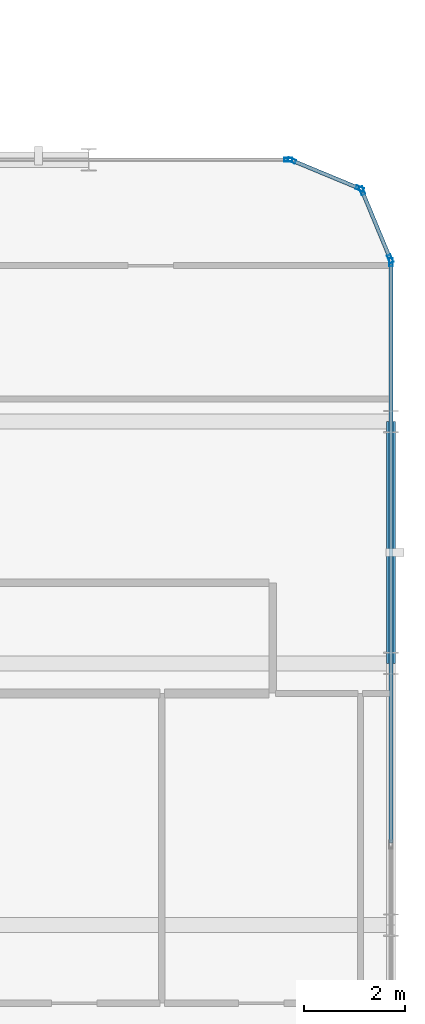
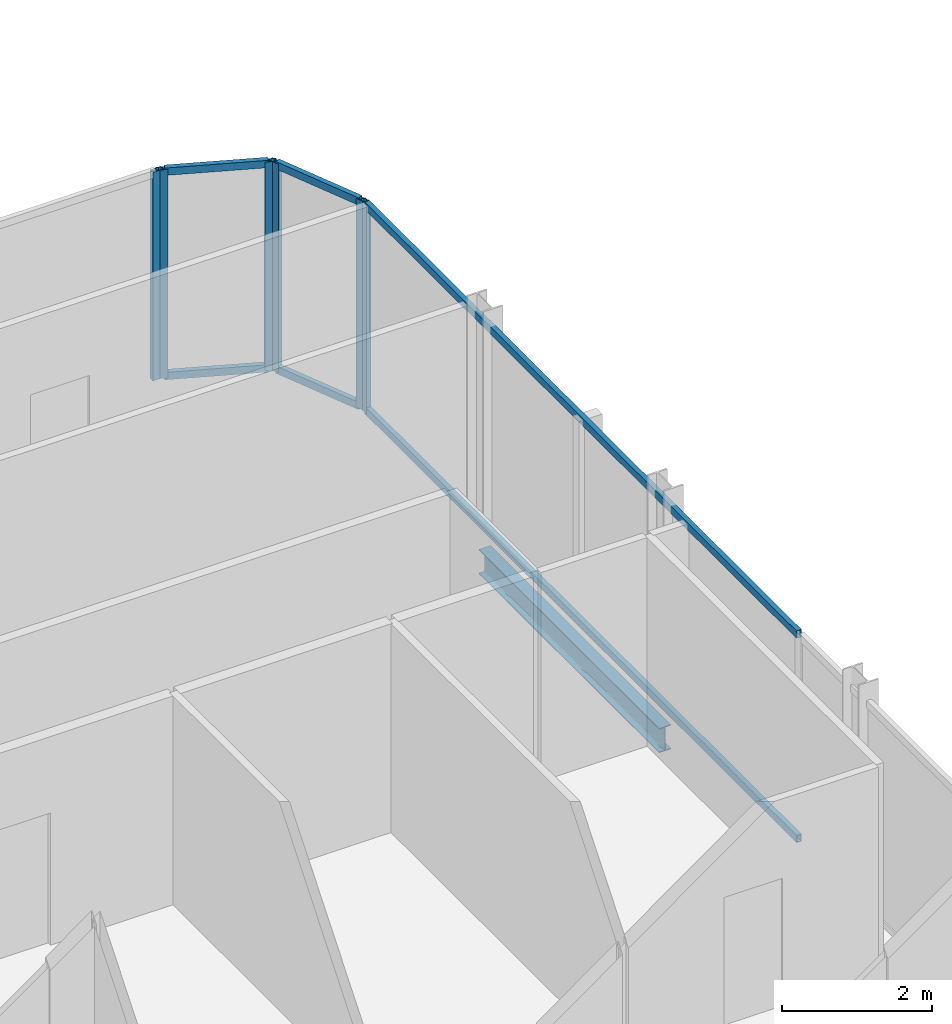
# One storey, part 15 of 29: 12 members, 1 beam, 4 elements without a shape of their own.
"""IFC4 building model written with IfcOpenShell, lengths in metres."""

from ifc_helpers import new_model, si_unit, direction, frame, origin, origin_2d, place, context, subcontext, project, spatial, hollow_rectangle, i_section, extrude, material, layer, layer_set, material_profile, profile_set, type_object, element, aggregate, save


model = new_model("IFC4")

# Units and contexts
model_context = context("Model", 3, precision=1e-05, world=origin(), true_north=direction((0.0, 1.0)))
body_context = subcontext(model_context, "Body", "Model", "MODEL_VIEW")
ifc_project = project(units=[si_unit("LENGTHUNIT", "METRE"), si_unit("AREAUNIT", "SQUARE_METRE"), si_unit("VOLUMEUNIT", "CUBIC_METRE"), si_unit("PLANEANGLEUNIT", "RADIAN"), si_unit("MASSUNIT", "GRAM", prefix="KILO")], contexts=[model_context])

# Site, building, storey
site_placement = place(None, origin())
site = spatial("IfcSite", under=ifc_project, at=site_placement, CompositionType="ELEMENT")
building_placement = place(site_placement, origin())
building = spatial("IfcBuilding", under=site, at=building_placement, Name="Keshet Zoharim Tower", CompositionType="ELEMENT")
storey_placement = place(building_placement, frame((0.0, 0.0, 210.60009765625)))
storey = spatial("IfcBuildingStorey", under=building, at=storey_placement, Name="L52", CompositionType="ELEMENT", Elevation=210.60009765625)

# Beam
ifc_material_1 = material(Name="Steel S355", Category="steel")
ifc_material_profile_1 = material_profile(ifc_material_1, i_section(OverallWidth=0.179931640625, OverallDepth=0.39990234375, WebThickness=0.008544921875, FlangeThickness=0.013427734375, FilletRadius=0.02099609375, at=origin_2d()), Name="IPE400")
ifc_profile_set_1 = profile_set([ifc_material_profile_1], Name="Steel S355")
beam_type = type_object("IfcBeamType", Name="BM-PRI-IP400", PredefinedType="BEAM", material=ifc_profile_set_1)
beam_placement = place(storey_placement, frame((57.0, 17.89990234375, -0.510009765625), z_axis=(0.0, 1.0, 0.0), x_axis=(-1.0, 0.0, 0.0)))
element("IfcBeam", 1, at=beam_placement, inside=storey, type_object=beam_type, Name="L52 Primary Girder Y-015", PredefinedType="BEAM", context=body_context, shape_type="SweptSolid", body=[
    extrude(i_section(OverallWidth=0.179931640625, OverallDepth=0.39990234375, WebThickness=0.008544921875, FlangeThickness=0.013427734375, FilletRadius=0.02099609375, at=origin_2d()), origin(), (0.0, 0.0, 1.0), 4.800048828125),
])

# Curtain wall, members
ifc_material_2 = material(Name="Aluminium 6063-T6", Category="aluminium")
ifc_layer = layer(ifc_material_2, 0.139892578125)
ifc_layer_set = layer_set([ifc_layer], Name="Aluminium 6063-T6")
curtain_wall_type = type_object("IfcCurtainWallType", Name="CW-SYS-05", PredefinedType="NOTDEFINED", material=ifc_layer_set)
curtain_wall_1_placement = place(storey_placement, origin())
curtain_wall_1 = element("IfcCurtainWall", 2, at=curtain_wall_1_placement, inside=storey, type_object=curtain_wall_type, Name="L52 Unitised Curtain Wall 01", PredefinedType="NOTDEFINED")
ifc_material_profile_2 = material_profile(ifc_material_2, hollow_rectangle(XDim=0.074951171875, YDim=0.159912109375, WallThickness=0.00390625, at=origin_2d()), Name="MUL-75x160")
ifc_profile_set_2 = profile_set([ifc_material_profile_2], Name="Aluminium 6063-T6")
member_type_1 = type_object("IfcMemberType", Name="CWM-M15", PredefinedType="MULLION", material=ifc_profile_set_2)
member_1_placement = place(storey_placement, frame((55.0322265625, 27.88671875, 0.0), z_axis=(0.0, 0.0, 1.0), x_axis=(0.382851849847, 0.92380975372, 0.0)))
member_1 = element("IfcMember", 3, at=member_1_placement, type_object=member_type_1, Name="CW-05 mullion 1", PredefinedType="MULLION", context=body_context, shape_type="SweptSolid", body=[
    extrude(hollow_rectangle(XDim=0.074951171875, YDim=0.159912109375, WallThickness=0.00390625, at=origin_2d()), origin(), (0.0, 0.0, 1.0), 3.389892578125),
])
member_2_placement = place(storey_placement, frame((56.381591796875, 27.327392578125, 0.0), z_axis=(0.0, 0.0, 1.0), x_axis=(0.382851849847, 0.92380975372, 0.0)))
member_2 = element("IfcMember", 4, at=member_2_placement, type_object=member_type_1, Name="CW-05 mullion 2", PredefinedType="MULLION", context=body_context, shape_type="SweptSolid", body=[
    extrude(hollow_rectangle(XDim=0.074951171875, YDim=0.159912109375, WallThickness=0.00390625, at=origin_2d()), origin(), (0.0, 0.0, 1.0), 3.389892578125),
])

curtain_wall_2_placement = place(storey_placement, origin())
curtain_wall_2 = element("IfcCurtainWall", 5, at=curtain_wall_2_placement, inside=storey, type_object=curtain_wall_type, Name="L52 Unitised Curtain Wall 02", PredefinedType="NOTDEFINED")
member_3_placement = place(storey_placement, frame((56.427490234375, 27.28173828125, 0.0), z_axis=(0.0, 0.0, 1.0), x_axis=(0.92380975372, 0.382851849847, 0.0)))
member_3 = element("IfcMember", 6, at=member_3_placement, type_object=member_type_1, Name="CW-05 mullion 1", PredefinedType="MULLION", context=body_context, shape_type="SweptSolid", body=[
    extrude(hollow_rectangle(XDim=0.074951171875, YDim=0.159912109375, WallThickness=0.00390625, at=origin_2d()), origin(), (0.0, 0.0, 1.0), 3.389892578125),
])
member_4_placement = place(storey_placement, frame((56.986572265625, 25.932373046875, 0.0), z_axis=(0.0, 0.0, 1.0), x_axis=(0.92380975372, 0.382851849847, 0.0)))
member_4 = element("IfcMember", 7, at=member_4_placement, type_object=member_type_1, Name="CW-05 mullion 2", PredefinedType="MULLION", context=body_context, shape_type="SweptSolid", body=[
    extrude(hollow_rectangle(XDim=0.074951171875, YDim=0.159912109375, WallThickness=0.00390625, at=origin_2d()), origin(), (0.0, 0.0, 1.0), 3.389892578125),
])

# Curtain wall, member
curtain_wall_3_placement = place(storey_placement, origin())
curtain_wall_3 = element("IfcCurtainWall", 8, at=curtain_wall_3_placement, inside=storey, type_object=curtain_wall_type, Name="L52 Unitised Curtain Wall 03", PredefinedType="NOTDEFINED")
member_5_placement = place(storey_placement, frame((57.0, 25.864990234375, 0.0), z_axis=(0.0, 0.0, 1.0), x_axis=(1.0, 0.0, 0.0)))
member_5 = element("IfcMember", 9, at=member_5_placement, type_object=member_type_1, Name="CW-05 mullion 1", PredefinedType="MULLION", context=body_context, shape_type="SweptSolid", body=[
    extrude(hollow_rectangle(XDim=0.074951171875, YDim=0.159912109375, WallThickness=0.00390625, at=origin_2d()), origin(), (0.0, 0.0, 1.0), 3.389892578125),
])

curtain_wall_4_placement = place(storey_placement, origin())
curtain_wall_4 = element("IfcCurtainWall", 10, at=curtain_wall_4_placement, inside=storey, type_object=curtain_wall_type, Name="L52 Unitised Curtain Wall 20 Part 2", PredefinedType="NOTDEFINED")
member_6_placement = place(storey_placement, frame((54.965087890625, 27.89990234375, 0.0), z_axis=(0.0, 0.0, 1.0), x_axis=(0.0, 1.0, 0.0)))
member_6 = element("IfcMember", 11, at=member_6_placement, type_object=member_type_1, Name="CW-05 mullion 2", PredefinedType="MULLION", context=body_context, shape_type="SweptSolid", body=[
    extrude(hollow_rectangle(XDim=0.074951171875, YDim=0.159912109375, WallThickness=0.00390625, at=origin_2d()), origin(), (0.0, 0.0, 1.0), 3.389892578125),
])
aggregate(curtain_wall_4, [member_6])

# Member
ifc_material_profile_3 = material_profile(ifc_material_2, hollow_rectangle(XDim=0.074951171875, YDim=0.1201171875, WallThickness=0.00390625, at=origin_2d()), Name="TRN-75x120")
ifc_profile_set_3 = profile_set([ifc_material_profile_3], Name="Aluminium 6063-T6")
member_type_2 = type_object("IfcMemberType", Name="CWT-T12", PredefinedType="USERDEFINED", material=ifc_profile_set_3)
member_7_placement = place(storey_placement, frame((55.064697265625, 27.873291015625, 0.034912109375), z_axis=(0.92379209995, -0.382894445076, 0.0), x_axis=(0.382894445076, 0.92379209995, 0.0)))
member_7 = element("IfcMember", 12, at=member_7_placement, type_object=member_type_2, Name="CW-05 transom 1.1", ObjectType="TRANSOM", PredefinedType="USERDEFINED", context=body_context, shape_type="SweptSolid", body=[
    extrude(hollow_rectangle(XDim=0.074951171875, YDim=0.1201171875, WallThickness=0.00390625, at=origin_2d()), origin(), (0.0, 0.0, 1.0), 1.390625),
])

member_8_placement = place(storey_placement, frame((55.064697265625, 27.873291015625, 3.35498046875), z_axis=(0.92379209995, -0.382894445076, 0.0), x_axis=(0.382894445076, 0.92379209995, 0.0)))
member_8 = element("IfcMember", 13, at=member_8_placement, type_object=member_type_2, Name="CW-05 transom 1.2", ObjectType="TRANSOM", PredefinedType="USERDEFINED", context=body_context, shape_type="SweptSolid", body=[
    extrude(hollow_rectangle(XDim=0.074951171875, YDim=0.1201171875, WallThickness=0.00390625, at=origin_2d()), origin(), (0.0, 0.0, 1.0), 1.390625),
])

aggregate(curtain_wall_1, [member_1, member_2, member_7, member_8])

member_9_placement = place(storey_placement, frame((56.44091796875, 27.249267578125, 0.034912109375), z_axis=(0.382744609247, -0.923854189844, 0.0), x_axis=(0.923854189844, 0.382744609247, 0.0)))
member_9 = element("IfcMember", 14, at=member_9_placement, type_object=member_type_2, Name="CW-05 transom 1.1", ObjectType="TRANSOM", PredefinedType="USERDEFINED", context=body_context, shape_type="SweptSolid", body=[
    extrude(hollow_rectangle(XDim=0.074951171875, YDim=0.1201171875, WallThickness=0.00390625, at=origin_2d()), origin(), (0.0, 0.0, 1.0), 1.390625),
])

member_10_placement = place(storey_placement, frame((56.44091796875, 27.249267578125, 3.35498046875), z_axis=(0.382744609247, -0.923854189844, 0.0), x_axis=(0.923854189844, 0.382744609247, 0.0)))
member_10 = element("IfcMember", 15, at=member_10_placement, type_object=member_type_2, Name="CW-05 transom 1.2", ObjectType="TRANSOM", PredefinedType="USERDEFINED", context=body_context, shape_type="SweptSolid", body=[
    extrude(hollow_rectangle(XDim=0.074951171875, YDim=0.1201171875, WallThickness=0.00390625, at=origin_2d()), origin(), (0.0, 0.0, 1.0), 1.390625),
])

aggregate(curtain_wall_2, [member_3, member_4, member_9, member_10])

member_11_placement = place(storey_placement, frame((57.0, 25.830078125, 0.034912109375), z_axis=(0.0, -1.0, 0.0), x_axis=(1.0, 0.0, 0.0)))
member_11 = element("IfcMember", 16, at=member_11_placement, type_object=member_type_2, Name="CW-05 transom 1.1", ObjectType="TRANSOM", PredefinedType="USERDEFINED", context=body_context, shape_type="SweptSolid", body=[
    extrude(hollow_rectangle(XDim=0.074951171875, YDim=0.1201171875, WallThickness=0.00390625, at=origin_2d()), origin(), (0.0, 0.0, 1.0), 11.4951171875),
])

member_12_placement = place(storey_placement, frame((57.0, 25.830078125, 3.35498046875), z_axis=(0.0, -1.0, 0.0), x_axis=(1.0, 0.0, 0.0)))
member_12 = element("IfcMember", 17, at=member_12_placement, type_object=member_type_2, Name="CW-05 transom 1.2", ObjectType="TRANSOM", PredefinedType="USERDEFINED", context=body_context, shape_type="SweptSolid", body=[
    extrude(hollow_rectangle(XDim=0.074951171875, YDim=0.1201171875, WallThickness=0.00390625, at=origin_2d()), origin(), (0.0, 0.0, 1.0), 11.4951171875),
])

aggregate(curtain_wall_3, [member_5, member_11, member_12])

save(model, "model.ifc")
